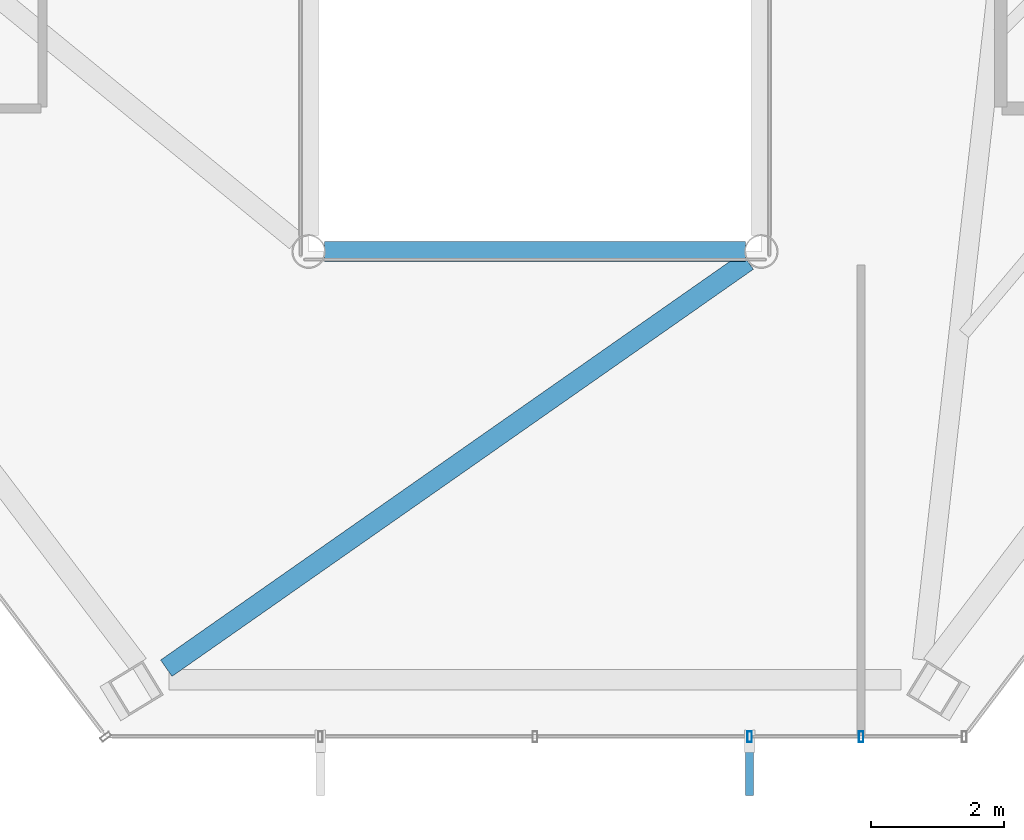
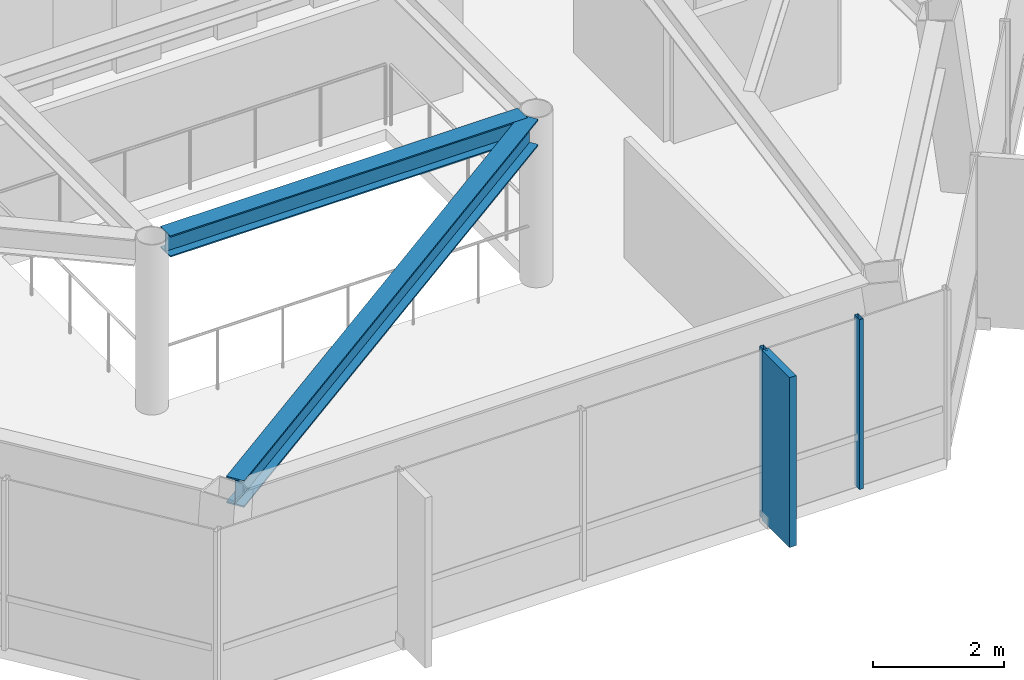
# One storey, part 6 of 27: 3 members, 2 beams, 1 element without a shape of its own.
"""IFC4 building model written with IfcOpenShell, lengths in metres."""

from ifc_helpers import new_model, si_unit, direction, frame, origin, origin_2d, place, context, subcontext, project, spatial, rectangle, hollow_rectangle, i_section, extrude, material, layer, layer_set, material_profile, profile_set, type_object, element, aggregate, save


model = new_model("IFC4")

# Units and contexts
model_context = context("Model", 3, precision=1e-05, world=origin(), true_north=direction((0.0, 1.0)))
body_context = subcontext(model_context, "Body", "Model", "MODEL_VIEW")
ifc_project = project(units=[si_unit("LENGTHUNIT", "METRE"), si_unit("AREAUNIT", "SQUARE_METRE"), si_unit("VOLUMEUNIT", "CUBIC_METRE"), si_unit("PLANEANGLEUNIT", "RADIAN"), si_unit("MASSUNIT", "GRAM", prefix="KILO")], contexts=[model_context])

# Site, building, storey
site_placement = place(None, origin())
site = spatial("IfcSite", under=ifc_project, at=site_placement, CompositionType="ELEMENT")
building_placement = place(site_placement, origin())
building = spatial("IfcBuilding", under=site, at=building_placement, Name="Zarrinselat Tower", CompositionType="ELEMENT")
storey_placement = place(building_placement, frame((0.0, 0.0, 215.56005859375)))
storey = spatial("IfcBuildingStorey", under=building, at=storey_placement, Name="L53", CompositionType="ELEMENT", Elevation=215.56005859375)

# Beams
ifc_material_1 = material(Name="Steel S355J2", Category="steel")
ifc_material_profile_1 = material_profile(ifc_material_1, i_section(OverallWidth=0.300048828125, OverallDepth=0.39990234375, WebThickness=0.013427734375, FlangeThickness=0.02392578125, at=origin_2d()), Name="HEB 400")
ifc_profile_set_1 = profile_set([ifc_material_profile_1], Name="Steel S355J2")
beam_type_1 = type_object("IfcBeamType", Name="BM-HEB400", PredefinedType="BEAM", material=ifc_profile_set_1)
beam_1_placement = place(storey_placement, frame((35.239990234375, 25.199951171875, 2.97998046875), z_axis=(1.0, 0.0, 0.0), x_axis=(0.0, 1.0, 0.0)))
element("IfcBeam", 1, at=beam_1_placement, inside=storey, type_object=beam_type_1, Name="L53 Atrium Edge Beam S", PredefinedType="BEAM", context=body_context, shape_type="SweptSolid", body=[
    extrude(i_section(OverallWidth=0.300048828125, OverallDepth=0.39990234375, WebThickness=0.013427734375, FlangeThickness=0.02392578125, at=origin_2d()), origin(), (0.0, 0.0, 1.0), 6.320068359375),
])
ifc_material_2 = material(Name="Steel S355J2", Category="steel")
ifc_material_profile_2 = material_profile(ifc_material_2, i_section(OverallWidth=0.300048828125, OverallDepth=0.5, WebThickness=0.014404296875, FlangeThickness=0.028076171875, at=origin_2d()), Name="HEB 500")
ifc_profile_set_2 = profile_set([ifc_material_profile_2], Name="Steel S355J2")
beam_type_2 = type_object("IfcBeamType", Name="BM-HEB500", PredefinedType="BEAM", material=ifc_profile_set_2)
beam_2_placement = place(storey_placement, frame((32.860107421875, 18.93994140625, 2.929931640625), z_axis=(0.819138334561, 0.573596015374, 0.0), x_axis=(-0.573596015374, 0.819138334561, 0.0)))
element("IfcBeam", 2, at=beam_2_placement, inside=storey, type_object=beam_type_2, Name="L53 Radial Primary Girder RG10", PredefinedType="BEAM", context=body_context, shape_type="SweptSolid", body=[
    extrude(i_section(OverallWidth=0.300048828125, OverallDepth=0.5, WebThickness=0.014404296875, FlangeThickness=0.028076171875, at=origin_2d()), origin(), (0.0, 0.0, 1.0), 10.663818359375),
])

# Curtain wall, members
ifc_material_3 = material(Name="Extruded Aluminium Alloy EN AW-6063 T6", Category="aluminium")
ifc_layer = layer(ifc_material_3, 0.169921875)
ifc_layer_set = layer_set([ifc_layer], Name="Extruded Aluminium Alloy EN AW-6063 T6")
curtain_wall_type = type_object("IfcCurtainWallType", Name="CWS-RES", PredefinedType="NOTDEFINED", material=ifc_layer_set)
curtain_wall_placement = place(storey_placement, origin())
curtain_wall = element("IfcCurtainWall", 3, at=curtain_wall_placement, inside=storey, type_object=curtain_wall_type, Name="L53 Unitised Curtain Wall CW-L53-E04", PredefinedType="NOTDEFINED")
ifc_material_4 = material(Name="Extruded Aluminium Alloy EN AW-6063 T6", Category="aluminium")
ifc_material_profile_3 = material_profile(ifc_material_4, hollow_rectangle(XDim=0.070068359375, YDim=0.159912109375, WallThickness=0.00390625, at=origin_2d()), Name="RHS 160x70x4")
ifc_profile_set_3 = profile_set([ifc_material_profile_3], Name="Extruded Aluminium Alloy EN AW-6063 T6")
member_type_1 = type_object("IfcMemberType", Name="MEM-CW-MUL2", PredefinedType="MULLION", material=ifc_profile_set_3)
member_1_placement = place(storey_placement, frame((41.62451171875, 17.910400390625, 0.0), z_axis=(0.0, 0.0, 1.0), x_axis=(1.0, 0.0, 0.0)))
member_1 = element("IfcMember", 4, at=member_1_placement, type_object=member_type_1, Name="CW-L53-E04 Mullion 3", PredefinedType="MULLION", context=body_context, shape_type="SweptSolid", body=[
    extrude(hollow_rectangle(XDim=0.070068359375, YDim=0.159912109375, WallThickness=0.00390625, at=origin_2d()), origin(), (0.0, 0.0, 1.0), 3.179931640625),
])
member_2_placement = place(storey_placement, frame((43.300048828125, 17.910400390625, 0.0), z_axis=(0.0, 0.0, 1.0), x_axis=(1.0, 0.0, 0.0)))
member_2 = element("IfcMember", 5, at=member_2_placement, type_object=member_type_1, Name="CW-L53-E04 Mullion 4", PredefinedType="MULLION", context=body_context, shape_type="SweptSolid", body=[
    extrude(hollow_rectangle(XDim=0.070068359375, YDim=0.159912109375, WallThickness=0.00390625, at=origin_2d()), origin(), (0.0, 0.0, 1.0), 3.179931640625),
])
ifc_material_5 = material(Name="Honed Cream Travertine Stone", Category="masonry")
ifc_material_profile_4 = material_profile(ifc_material_5, rectangle(XDim=0.1201171875, YDim=0.85009765625, at=origin_2d()), Name="FIN 850x120")
ifc_profile_set_4 = profile_set([ifc_material_profile_4], Name="Honed Cream Travertine Stone")
member_type_2 = type_object("IfcMemberType", Name="MEM-STONE-FIN", PredefinedType="USERDEFINED", material=ifc_profile_set_4)
member_3_placement = place(storey_placement, frame((41.62451171875, 17.450439453125, 0.0), z_axis=(0.0, 0.0, 1.0), x_axis=(-1.0, 0.0, 0.0)))
member_3 = element("IfcMember", 6, at=member_3_placement, type_object=member_type_2, Name="L53 Stone Shading Fin CW-L53-E04-03", ObjectType="FIN", PredefinedType="USERDEFINED", context=body_context, shape_type="SweptSolid", body=[
    extrude(rectangle(XDim=0.1201171875, YDim=0.85009765625, at=origin_2d()), origin(), (0.0, 0.0, 1.0), 3.179931640625),
])
aggregate(curtain_wall, [member_1, member_3, member_2])

save(model, "model.ifc")
